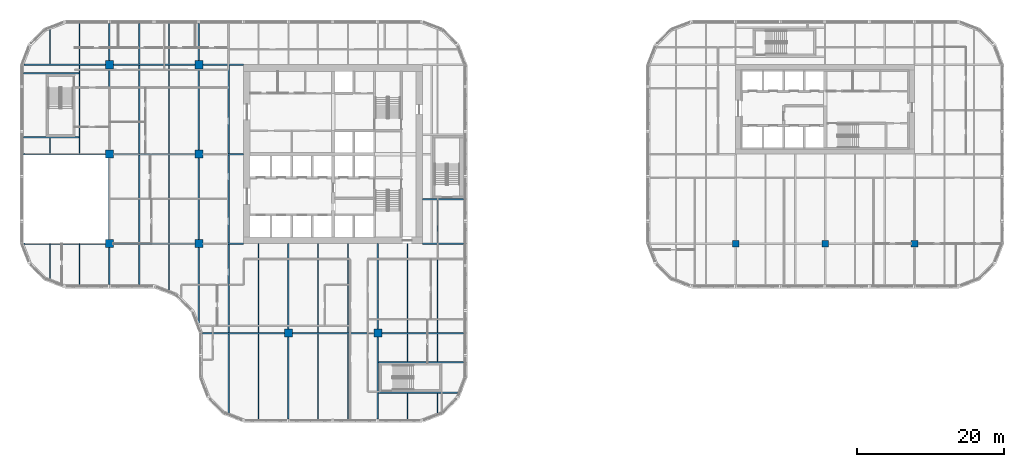
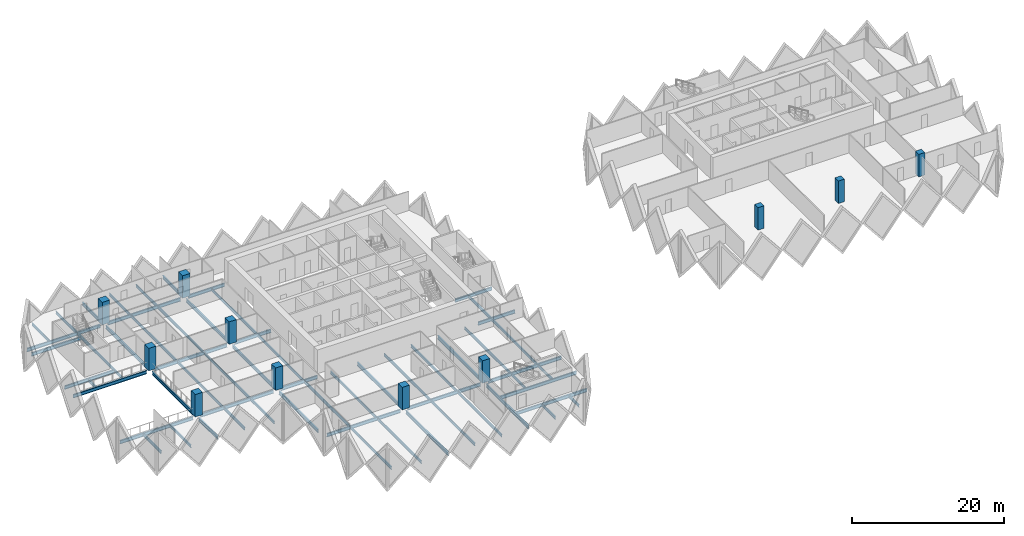
# One storey, part 1 of 18: 61 beams, 11 columns.
"""IFC4 building model written with IfcOpenShell, lengths in metres."""

from ifc_helpers import new_model, si_unit, direction, frame, origin, origin_2d, place, context, subcontext, project, spatial, rectangle, i_section, extrude, material, material_profile, profile_set, type_object, element, save


model = new_model("IFC4")

# Units and contexts
model_context = context("Model", 3, precision=1e-05, world=origin(), true_north=direction((0.0, 1.0)))
body_context = subcontext(model_context, "Body", "Model", "MODEL_VIEW")
ifc_project = project(units=[si_unit("LENGTHUNIT", "METRE"), si_unit("AREAUNIT", "SQUARE_METRE"), si_unit("VOLUMEUNIT", "CUBIC_METRE"), si_unit("PLANEANGLEUNIT", "RADIAN"), si_unit("MASSUNIT", "GRAM", prefix="KILO")], contexts=[model_context])

# Site, building, storey
site_placement = place(None, origin())
site = spatial("IfcSite", under=ifc_project, at=site_placement, CompositionType="ELEMENT")
building_placement = place(site_placement, origin())
building = spatial("IfcBuilding", under=site, at=building_placement, Name="Tessera Gate Towers", CompositionType="ELEMENT")
storey_placement = place(building_placement, frame((0.0, 0.0, 37.199951171875)))
storey = spatial("IfcBuildingStorey", under=building, at=storey_placement, Name="L08", CompositionType="ELEMENT", Elevation=37.199951171875)

# Columns
ifc_material_1 = material(Name="Concrete C70/85", Category="concrete")
ifc_material_profile_1 = material_profile(ifc_material_1, rectangle(XDim=1.10009765625, YDim=1.10009765625, at=origin_2d()), Name="RC 1100x1100")
ifc_profile_set_1 = profile_set([ifc_material_profile_1], Name="Concrete C70/85")
column_type_1 = type_object("IfcColumnType", Name="COLUMN RC 1100x1100", PredefinedType="COLUMN", material=ifc_profile_set_1)
for number, where, z_axis, x_axis, name in (
    (1, (12.199951171875, 24.39990234375, 0.0), (0.0, 0.0, 1.0), (1.0, 0.0, 0.0), "T1-COL-2C-L08"),
    (2, (12.199951171875, 36.60009765625, 0.0), (0.0, 0.0, 1.0), (1.0, 0.0, 0.0), "T1-COL-2D-L08"),
    (3, (12.199951171875, 48.800048828125, 0.0), (0.0, 0.0, 1.0), (1.0, 0.0, 0.0), "T1-COL-2E-L08"),
    (4, (24.39990234375, 24.39990234375, 0.0), (0.0, 0.0, 1.0), (1.0, 0.0, 0.0), "T1-COL-3C-L08"),
    (5, (24.39990234375, 36.60009765625, 0.0), (0.0, 0.0, 1.0), (1.0, 0.0, 0.0), "T1-COL-3D-L08"),
    (6, (24.39990234375, 48.800048828125, 0.0), (0.0, 0.0, 1.0), (1.0, 0.0, 0.0), "T1-COL-3E-L08"),
    (7, (36.60009765625, 12.199951171875, 0.0), (0.0, 0.0, 1.0), (1.0, 0.0, 0.0), "T1-COL-4B-L08"),
    (8, (48.800048828125, 12.199951171875, 0.0), (0.0, 0.0, 1.0), (1.0, 0.0, 0.0), "T1-COL-5B-L08"),
):
    element("IfcColumn", number, at=place(storey_placement, frame(where, z_axis=z_axis, x_axis=x_axis)), inside=storey, type_object=column_type_1, Name=name, PredefinedType="COLUMN", context=body_context, shape_type="SweptSolid", body=[
        extrude(rectangle(XDim=1.10009765625, YDim=1.10009765625, at=origin_2d()), origin(), (0.0, 0.0, 1.0), 3.60009765625),
    ])
ifc_material_2 = material(Name="Concrete C70/85", Category="concrete")
ifc_material_profile_2 = material_profile(ifc_material_2, rectangle(XDim=0.89990234375, YDim=0.89990234375, at=origin_2d()), Name="RC 900x900")
ifc_profile_set_2 = profile_set([ifc_material_profile_2], Name="Concrete C70/85")
column_type_2 = type_object("IfcColumnType", Name="COLUMN RC 900x900", PredefinedType="COLUMN", material=ifc_profile_set_2)
for number, where, z_axis, x_axis, name in (
    (9, (97.60009765625, 24.39990234375, 0.0), (0.0, 0.0, 1.0), (1.0, 0.0, 0.0), "T2-COL-9C-L08"),
    (10, (109.800048828125, 24.39990234375, 0.0), (0.0, 0.0, 1.0), (1.0, 0.0, 0.0), "T2-COL-10C-L08"),
    (11, (122.0, 24.39990234375, 0.0), (0.0, 0.0, 1.0), (1.0, 0.0, 0.0), "T2-COL-11C-L08"),
):
    element("IfcColumn", number, at=place(storey_placement, frame(where, z_axis=z_axis, x_axis=x_axis)), inside=storey, type_object=column_type_2, Name=name, PredefinedType="COLUMN", context=body_context, shape_type="SweptSolid", body=[
        extrude(rectangle(XDim=0.89990234375, YDim=0.89990234375, at=origin_2d()), origin(), (0.0, 0.0, 1.0), 3.60009765625),
    ])

# Beams
ifc_material_3 = material(Name="Steel 350W", Category="steel")
ifc_material_profile_3 = material_profile(ifc_material_3, i_section(OverallWidth=0.208984375, OverallDepth=0.532958984375, WebThickness=0.01025390625, FlangeThickness=0.015625, at=origin_2d()), Name="W530x92")
ifc_profile_set_3 = profile_set([ifc_material_profile_3], Name="Steel 350W")
beam_type_1 = type_object("IfcBeamType", Name="FLOOR GIRDER W530x92", PredefinedType="BEAM", material=ifc_profile_set_3)
beam_1_placement = place(storey_placement, frame((24.89892578125, 12.199951171875, -0.466552734375), z_axis=(1.0, 0.0, 0.0), x_axis=(0.0, 1.0, 0.0)))
element("IfcBeam", 12, at=beam_1_placement, inside=storey, type_object=beam_type_1, Name="T1-GD-L08-1276", PredefinedType="BEAM", context=body_context, shape_type="SweptSolid", body=[
    extrude(i_section(OverallWidth=0.208984375, OverallDepth=0.532958984375, WebThickness=0.01025390625, FlangeThickness=0.015625, at=origin_2d()), origin(), (0.0, 0.0, 1.0), 11.151123046875),
])
beam_2_placement = place(storey_placement, frame((37.14990234375, 12.199951171875, -0.466552734375), z_axis=(1.0, 0.0, 0.0), x_axis=(0.0, 1.0, 0.0)))
element("IfcBeam", 13, at=beam_2_placement, inside=storey, type_object=beam_type_1, Name="T1-GD-L08-1277", PredefinedType="BEAM", context=body_context, shape_type="SweptSolid", body=[
    extrude(i_section(OverallWidth=0.208984375, OverallDepth=0.532958984375, WebThickness=0.01025390625, FlangeThickness=0.015625, at=origin_2d()), origin(), (0.0, 0.0, 1.0), 11.10009765625),
])
beam_3_placement = place(storey_placement, frame((49.35009765625, 12.199951171875, -0.466552734375), z_axis=(1.0, 0.0, 0.0), x_axis=(0.0, 1.0, 0.0)))
element("IfcBeam", 14, at=beam_3_placement, inside=storey, type_object=beam_type_1, Name="T1-GD-L08-1278", PredefinedType="BEAM", context=body_context, shape_type="SweptSolid", body=[
    extrude(i_section(OverallWidth=0.208984375, OverallDepth=0.532958984375, WebThickness=0.01025390625, FlangeThickness=0.015625, at=origin_2d()), origin(), (0.0, 0.0, 1.0), 11.15087890625),
])
beam_4_placement = place(storey_placement, frame((0.534912109375, 24.39990234375, -0.466552734375), z_axis=(1.0, 0.0, 0.0), x_axis=(0.0, 1.0, 0.0)))
element("IfcBeam", 15, at=beam_4_placement, inside=storey, type_object=beam_type_1, Name="T1-GD-L08-1279", PredefinedType="BEAM", context=body_context, shape_type="SweptSolid", body=[
    extrude(i_section(OverallWidth=0.208984375, OverallDepth=0.532958984375, WebThickness=0.01025390625, FlangeThickness=0.015625, at=origin_2d()), origin(), (0.0, 0.0, 1.0), 11.114990234375),
])
beam_5_placement = place(storey_placement, frame((12.75, 24.39990234375, -0.466552734375), z_axis=(1.0, 0.0, 0.0), x_axis=(0.0, 1.0, 0.0)))
element("IfcBeam", 16, at=beam_5_placement, inside=storey, type_object=beam_type_1, Name="T1-GD-L08-1280", PredefinedType="BEAM", context=body_context, shape_type="SweptSolid", body=[
    extrude(i_section(OverallWidth=0.208984375, OverallDepth=0.532958984375, WebThickness=0.01025390625, FlangeThickness=0.015625, at=origin_2d()), origin(), (0.0, 0.0, 1.0), 11.10009765625),
])
beam_6_placement = place(storey_placement, frame((24.949951171875, 24.39990234375, -0.466552734375), z_axis=(1.0, 0.0, 0.0), x_axis=(0.0, 1.0, 0.0)))
element("IfcBeam", 17, at=beam_6_placement, inside=storey, type_object=beam_type_1, Name="T1-GD-L08-1281", PredefinedType="BEAM", context=body_context, shape_type="SweptSolid", body=[
    extrude(i_section(OverallWidth=0.208984375, OverallDepth=0.532958984375, WebThickness=0.01025390625, FlangeThickness=0.015625, at=origin_2d()), origin(), (0.0, 0.0, 1.0), 5.549072265625),
])
beam_7_placement = place(storey_placement, frame((54.90087890625, 24.39990234375, -0.466552734375), z_axis=(1.0, 0.0, 0.0), x_axis=(0.0, 1.0, 0.0)))
element("IfcBeam", 18, at=beam_7_placement, inside=storey, type_object=beam_type_1, Name="T1-GD-L08-1282", PredefinedType="BEAM", context=body_context, shape_type="SweptSolid", body=[
    extrude(i_section(OverallWidth=0.208984375, OverallDepth=0.532958984375, WebThickness=0.01025390625, FlangeThickness=0.015625, at=origin_2d()), origin(), (0.0, 0.0, 1.0), 5.60009765625),
])
beam_8_placement = place(storey_placement, frame((0.4990234375, 36.60009765625, -0.466552734375), z_axis=(1.0, 0.0, 0.0), x_axis=(0.0, 1.0, 0.0)))
element("IfcBeam", 19, at=beam_8_placement, inside=storey, type_object=beam_type_1, Name="T1-GD-L08-1283", PredefinedType="BEAM", context=body_context, shape_type="SweptSolid", body=[
    extrude(i_section(OverallWidth=0.208984375, OverallDepth=0.532958984375, WebThickness=0.01025390625, FlangeThickness=0.015625, at=origin_2d()), origin(), (0.0, 0.0, 1.0), 11.15087890625),
])
beam_9_placement = place(storey_placement, frame((12.75, 36.60009765625, -0.466552734375), z_axis=(1.0, 0.0, 0.0), x_axis=(0.0, 1.0, 0.0)))
element("IfcBeam", 20, at=beam_9_placement, inside=storey, type_object=beam_type_1, Name="T1-GD-L08-1284", PredefinedType="BEAM", context=body_context, shape_type="SweptSolid", body=[
    extrude(i_section(OverallWidth=0.208984375, OverallDepth=0.532958984375, WebThickness=0.01025390625, FlangeThickness=0.015625, at=origin_2d()), origin(), (0.0, 0.0, 1.0), 11.10009765625),
])
beam_10_placement = place(storey_placement, frame((24.949951171875, 36.60009765625, -0.466552734375), z_axis=(1.0, 0.0, 0.0), x_axis=(0.0, 1.0, 0.0)))
element("IfcBeam", 21, at=beam_10_placement, inside=storey, type_object=beam_type_1, Name="T1-GD-L08-1285", PredefinedType="BEAM", context=body_context, shape_type="SweptSolid", body=[
    extrude(i_section(OverallWidth=0.208984375, OverallDepth=0.532958984375, WebThickness=0.01025390625, FlangeThickness=0.015625, at=origin_2d()), origin(), (0.0, 0.0, 1.0), 5.551025390625),
])
beam_11_placement = place(storey_placement, frame((0.534912109375, 48.800048828125, -0.466552734375), z_axis=(1.0, 0.0, 0.0), x_axis=(0.0, 1.0, 0.0)))
element("IfcBeam", 22, at=beam_11_placement, inside=storey, type_object=beam_type_1, Name="T1-GD-L08-1287", PredefinedType="BEAM", context=body_context, shape_type="SweptSolid", body=[
    extrude(i_section(OverallWidth=0.208984375, OverallDepth=0.532958984375, WebThickness=0.01025390625, FlangeThickness=0.015625, at=origin_2d()), origin(), (0.0, 0.0, 1.0), 11.114990234375),
])
beam_12_placement = place(storey_placement, frame((12.75, 48.800048828125, -0.466552734375), z_axis=(1.0, 0.0, 0.0), x_axis=(0.0, 1.0, 0.0)))
element("IfcBeam", 23, at=beam_12_placement, inside=storey, type_object=beam_type_1, Name="T1-GD-L08-1288", PredefinedType="BEAM", context=body_context, shape_type="SweptSolid", body=[
    extrude(i_section(OverallWidth=0.208984375, OverallDepth=0.532958984375, WebThickness=0.01025390625, FlangeThickness=0.015625, at=origin_2d()), origin(), (0.0, 0.0, 1.0), 11.10009765625),
])
beam_13_placement = place(storey_placement, frame((24.949951171875, 48.800048828125, -0.466552734375), z_axis=(1.0, 0.0, 0.0), x_axis=(0.0, 1.0, 0.0)))
element("IfcBeam", 24, at=beam_13_placement, inside=storey, type_object=beam_type_1, Name="T1-GD-L08-1289", PredefinedType="BEAM", context=body_context, shape_type="SweptSolid", body=[
    extrude(i_section(OverallWidth=0.208984375, OverallDepth=0.532958984375, WebThickness=0.01025390625, FlangeThickness=0.015625, at=origin_2d()), origin(), (0.0, 0.0, 1.0), 5.549072265625),
])
beam_14_placement = place(storey_placement, frame((12.199951171875, 18.799072265625, -0.466552734375), z_axis=(0.0, 1.0, 0.0), x_axis=(-1.0, 0.0, 0.0)))
element("IfcBeam", 25, at=beam_14_placement, inside=storey, type_object=beam_type_1, Name="T1-GD-L08-1291", PredefinedType="BEAM", context=body_context, shape_type="SweptSolid", body=[
    extrude(i_section(OverallWidth=0.208984375, OverallDepth=0.532958984375, WebThickness=0.01025390625, FlangeThickness=0.015625, at=origin_2d()), origin(), (0.0, 0.0, 1.0), 5.051025390625),
])
for number, where, z_axis, x_axis, name in (
    (26, (12.199951171875, 24.949951171875, -0.466552734375), (0.0, 1.0, 0.0), (-1.0, 0.0, 0.0), "T1-GD-L08-1292"),
    (27, (12.199951171875, 37.14990234375, -0.466552734375), (0.0, 1.0, 0.0), (-1.0, 0.0, 0.0), "T1-GD-L08-1293"),
):
    element("IfcBeam", number, at=place(storey_placement, frame(where, z_axis=z_axis, x_axis=x_axis)), inside=storey, type_object=beam_type_1, Name=name, PredefinedType="BEAM", context=body_context, shape_type="SweptSolid", body=[
        extrude(i_section(OverallWidth=0.208984375, OverallDepth=0.532958984375, WebThickness=0.01025390625, FlangeThickness=0.015625, at=origin_2d()), origin(), (0.0, 0.0, 1.0), 11.10009765625),
    ])
beam_15_placement = place(storey_placement, frame((12.199951171875, 49.35009765625, -0.466552734375), z_axis=(0.0, 1.0, 0.0), x_axis=(-1.0, 0.0, 0.0)))
element("IfcBeam", 28, at=beam_15_placement, inside=storey, type_object=beam_type_1, Name="T1-GD-L08-1294", PredefinedType="BEAM", context=body_context, shape_type="SweptSolid", body=[
    extrude(i_section(OverallWidth=0.208984375, OverallDepth=0.532958984375, WebThickness=0.01025390625, FlangeThickness=0.015625, at=origin_2d()), origin(), (0.0, 0.0, 1.0), 5.05078125),
])
beam_16_placement = place(storey_placement, frame((24.39990234375, 13.58642578125, -0.466552734375), z_axis=(0.0, 1.0, 0.0), x_axis=(-1.0, 0.0, 0.0)))
element("IfcBeam", 29, at=beam_16_placement, inside=storey, type_object=beam_type_1, Name="T1-GD-L08-1295", PredefinedType="BEAM", context=body_context, shape_type="SweptSolid", body=[
    extrude(i_section(OverallWidth=0.208984375, OverallDepth=0.532958984375, WebThickness=0.01025390625, FlangeThickness=0.015625, at=origin_2d()), origin(), (0.0, 0.0, 1.0), 10.263671875),
])
for number, where, z_axis, x_axis, name in (
    (30, (24.39990234375, 24.949951171875, -0.466552734375), (0.0, 1.0, 0.0), (-1.0, 0.0, 0.0), "T1-GD-L08-1296"),
    (31, (24.39990234375, 37.14990234375, -0.466552734375), (0.0, 1.0, 0.0), (-1.0, 0.0, 0.0), "T1-GD-L08-1297"),
):
    element("IfcBeam", number, at=place(storey_placement, frame(where, z_axis=z_axis, x_axis=x_axis)), inside=storey, type_object=beam_type_1, Name=name, PredefinedType="BEAM", context=body_context, shape_type="SweptSolid", body=[
        extrude(i_section(OverallWidth=0.208984375, OverallDepth=0.532958984375, WebThickness=0.01025390625, FlangeThickness=0.015625, at=origin_2d()), origin(), (0.0, 0.0, 1.0), 11.10009765625),
    ])
beam_17_placement = place(storey_placement, frame((24.39990234375, 49.35009765625, -0.466552734375), z_axis=(0.0, 1.0, 0.0), x_axis=(-1.0, 0.0, 0.0)))
element("IfcBeam", 32, at=beam_17_placement, inside=storey, type_object=beam_type_1, Name="T1-GD-L08-1298", PredefinedType="BEAM", context=body_context, shape_type="SweptSolid", body=[
    extrude(i_section(OverallWidth=0.208984375, OverallDepth=0.532958984375, WebThickness=0.01025390625, FlangeThickness=0.015625, at=origin_2d()), origin(), (0.0, 0.0, 1.0), 5.05078125),
])
beam_18_placement = place(storey_placement, frame((36.60009765625, 0.4990234375, -0.466552734375), z_axis=(0.0, 1.0, 0.0), x_axis=(-1.0, 0.0, 0.0)))
element("IfcBeam", 33, at=beam_18_placement, inside=storey, type_object=beam_type_1, Name="T1-GD-L08-1299", PredefinedType="BEAM", context=body_context, shape_type="SweptSolid", body=[
    extrude(i_section(OverallWidth=0.208984375, OverallDepth=0.532958984375, WebThickness=0.01025390625, FlangeThickness=0.015625, at=origin_2d()), origin(), (0.0, 0.0, 1.0), 11.15087890625),
])
beam_19_placement = place(storey_placement, frame((36.60009765625, 12.75, -0.466552734375), z_axis=(0.0, 1.0, 0.0), x_axis=(-1.0, 0.0, 0.0)))
element("IfcBeam", 34, at=beam_19_placement, inside=storey, type_object=beam_type_1, Name="T1-GD-L08-1300", PredefinedType="BEAM", context=body_context, shape_type="SweptSolid", body=[
    extrude(i_section(OverallWidth=0.208984375, OverallDepth=0.532958984375, WebThickness=0.01025390625, FlangeThickness=0.015625, at=origin_2d()), origin(), (0.0, 0.0, 1.0), 11.64990234375),
])
beam_20_placement = place(storey_placement, frame((48.800048828125, 0.4990234375, -0.466552734375), z_axis=(0.0, 1.0, 0.0), x_axis=(-1.0, 0.0, 0.0)))
element("IfcBeam", 35, at=beam_20_placement, inside=storey, type_object=beam_type_1, Name="T1-GD-L08-1301", PredefinedType="BEAM", context=body_context, shape_type="SweptSolid", body=[
    extrude(i_section(OverallWidth=0.208984375, OverallDepth=0.532958984375, WebThickness=0.01025390625, FlangeThickness=0.015625, at=origin_2d()), origin(), (0.0, 0.0, 1.0), 11.15087890625),
])
beam_21_placement = place(storey_placement, frame((48.800048828125, 12.75, -0.466552734375), z_axis=(0.0, 1.0, 0.0), x_axis=(-1.0, 0.0, 0.0)))
element("IfcBeam", 36, at=beam_21_placement, inside=storey, type_object=beam_type_1, Name="T1-GD-L08-1302", PredefinedType="BEAM", context=body_context, shape_type="SweptSolid", body=[
    extrude(i_section(OverallWidth=0.208984375, OverallDepth=0.532958984375, WebThickness=0.01025390625, FlangeThickness=0.015625, at=origin_2d()), origin(), (0.0, 0.0, 1.0), 11.64990234375),
])
for number, where, z_axis, x_axis, name in (
    (37, (0.4990234375, 38.8798828125, -0.466552734375), (1.0, 0.0, 0.0), (0.0, 1.0, 0.0), "T1-GD-L08-1303"),
    (38, (0.4990234375, 47.6201171875, -0.466552734375), (1.0, 0.0, 0.0), (0.0, 1.0, 0.0), "T1-GD-L08-1304"),
):
    element("IfcBeam", number, at=place(storey_placement, frame(where, z_axis=z_axis, x_axis=x_axis)), inside=storey, type_object=beam_type_1, Name=name, PredefinedType="BEAM", context=body_context, shape_type="SweptSolid", body=[
        extrude(i_section(OverallWidth=0.208984375, OverallDepth=0.532958984375, WebThickness=0.01025390625, FlangeThickness=0.015625, at=origin_2d()), origin(), (0.0, 0.0, 1.0), 7.557861328125),
    ])
beam_22_placement = place(storey_placement, frame((48.87646484375, 4.080078125, -0.466552734375), z_axis=(1.0, 0.0, 0.0), x_axis=(0.0, 1.0, 0.0)))
element("IfcBeam", 39, at=beam_22_placement, inside=storey, type_object=beam_type_1, Name="T1-GD-L08-1305", PredefinedType="BEAM", context=body_context, shape_type="SweptSolid", body=[
    extrude(i_section(OverallWidth=0.208984375, OverallDepth=0.532958984375, WebThickness=0.01025390625, FlangeThickness=0.015625, at=origin_2d()), origin(), (0.0, 0.0, 1.0), 10.809326171875),
])
beam_23_placement = place(storey_placement, frame((48.87646484375, 8.219970703125, -0.466552734375), z_axis=(1.0, 0.0, 0.0), x_axis=(0.0, 1.0, 0.0)))
element("IfcBeam", 40, at=beam_23_placement, inside=storey, type_object=beam_type_1, Name="T1-GD-L08-1306", PredefinedType="BEAM", context=body_context, shape_type="SweptSolid", body=[
    extrude(i_section(OverallWidth=0.208984375, OverallDepth=0.532958984375, WebThickness=0.01025390625, FlangeThickness=0.015625, at=origin_2d()), origin(), (0.0, 0.0, 1.0), 11.62451171875),
])
beam_24_placement = place(storey_placement, frame((54.89892578125, 30.47998046875, -0.466552734375), z_axis=(1.0, 0.0, 0.0), x_axis=(0.0, 1.0, 0.0)))
element("IfcBeam", 41, at=beam_24_placement, inside=storey, type_object=beam_type_1, Name="T1-GD-L08-1307", PredefinedType="BEAM", context=body_context, shape_type="SweptSolid", body=[
    extrude(i_section(OverallWidth=0.208984375, OverallDepth=0.532958984375, WebThickness=0.01025390625, FlangeThickness=0.015625, at=origin_2d()), origin(), (0.0, 0.0, 1.0), 5.60205078125),
])
ifc_material_4 = material(Name="Steel 350W", Category="steel")
ifc_material_profile_4 = material_profile(ifc_material_4, i_section(OverallWidth=0.153076171875, OverallDepth=0.455078125, WebThickness=0.008056640625, FlangeThickness=0.01318359375, at=origin_2d()), Name="W460x60")
ifc_profile_set_4 = profile_set([ifc_material_profile_4], Name="Steel 350W")
beam_type_2 = type_object("IfcBeamType", Name="FLOOR SECONDARY W460x60", PredefinedType="BEAM", material=ifc_profile_set_4)
beam_25_placement = place(storey_placement, frame((4.066650390625, 19.620361328125, -0.427490234375), z_axis=(0.0, 1.0, 0.0), x_axis=(-1.0, 0.0, 0.0)))
element("IfcBeam", 42, at=beam_25_placement, inside=storey, type_object=beam_type_2, Name="T1-BM-L08-1310", PredefinedType="BEAM", context=body_context, shape_type="SweptSolid", body=[
    extrude(i_section(OverallWidth=0.153076171875, OverallDepth=0.455078125, WebThickness=0.008056640625, FlangeThickness=0.01318359375, at=origin_2d()), origin(), (0.0, 0.0, 1.0), 4.779541015625),
])
beam_26_placement = place(storey_placement, frame((4.066650390625, 36.70458984375, -0.427490234375), z_axis=(0.0, 1.0, 0.0), x_axis=(-1.0, 0.0, 0.0)))
element("IfcBeam", 43, at=beam_26_placement, inside=storey, type_object=beam_type_2, Name="T1-BM-L08-1311", PredefinedType="BEAM", context=body_context, shape_type="SweptSolid", body=[
    extrude(i_section(OverallWidth=0.153076171875, OverallDepth=0.455078125, WebThickness=0.008056640625, FlangeThickness=0.01318359375, at=origin_2d()), origin(), (0.0, 0.0, 1.0), 2.07080078125),
])
beam_27_placement = place(storey_placement, frame((4.066650390625, 48.904541015625, -0.427490234375), z_axis=(0.0, 1.0, 0.0), x_axis=(-1.0, 0.0, 0.0)))
element("IfcBeam", 44, at=beam_27_placement, inside=storey, type_object=beam_type_2, Name="T1-BM-L08-1312", PredefinedType="BEAM", context=body_context, shape_type="SweptSolid", body=[
    extrude(i_section(OverallWidth=0.153076171875, OverallDepth=0.455078125, WebThickness=0.008056640625, FlangeThickness=0.01318359375, at=origin_2d()), origin(), (0.0, 0.0, 1.0), 4.675048828125),
])
beam_28_placement = place(storey_placement, frame((8.13330078125, 18.800048828125, -0.427490234375), z_axis=(0.0, 1.0, 0.0), x_axis=(-1.0, 0.0, 0.0)))
element("IfcBeam", 45, at=beam_28_placement, inside=storey, type_object=beam_type_2, Name="T1-BM-L08-1313", PredefinedType="BEAM", context=body_context, shape_type="SweptSolid", body=[
    extrude(i_section(OverallWidth=0.153076171875, OverallDepth=0.455078125, WebThickness=0.008056640625, FlangeThickness=0.01318359375, at=origin_2d()), origin(), (0.0, 0.0, 1.0), 5.599853515625),
])
beam_29_placement = place(storey_placement, frame((8.13330078125, 36.70458984375, -0.427490234375), z_axis=(0.0, 1.0, 0.0), x_axis=(-1.0, 0.0, 0.0)))
element("IfcBeam", 46, at=beam_29_placement, inside=storey, type_object=beam_type_2, Name="T1-BM-L08-1314", PredefinedType="BEAM", context=body_context, shape_type="SweptSolid", body=[
    extrude(i_section(OverallWidth=0.153076171875, OverallDepth=0.455078125, WebThickness=0.008056640625, FlangeThickness=0.01318359375, at=origin_2d()), origin(), (0.0, 0.0, 1.0), 11.990966796875),
])
for number, where, z_axis, x_axis, name in (
    (47, (8.13330078125, 48.904541015625, -0.427490234375), (0.0, 1.0, 0.0), (-1.0, 0.0, 0.0), "T1-BM-L08-1315"),
    (48, (16.2666015625, 18.800048828125, -0.427490234375), (0.0, 1.0, 0.0), (-1.0, 0.0, 0.0), "T1-BM-L08-1316"),
):
    element("IfcBeam", number, at=place(storey_placement, frame(where, z_axis=z_axis, x_axis=x_axis)), inside=storey, type_object=beam_type_2, Name=name, PredefinedType="BEAM", context=body_context, shape_type="SweptSolid", body=[
        extrude(i_section(OverallWidth=0.153076171875, OverallDepth=0.455078125, WebThickness=0.008056640625, FlangeThickness=0.01318359375, at=origin_2d()), origin(), (0.0, 0.0, 1.0), 5.495361328125),
    ])
beam_30_placement = place(storey_placement, frame((16.2666015625, 24.50439453125, -0.427490234375), z_axis=(0.0, 1.0, 0.0), x_axis=(-1.0, 0.0, 0.0)))
element("IfcBeam", 49, at=beam_30_placement, inside=storey, type_object=beam_type_2, Name="T1-BM-L08-1317", PredefinedType="BEAM", context=body_context, shape_type="SweptSolid", body=[
    extrude(i_section(OverallWidth=0.153076171875, OverallDepth=0.455078125, WebThickness=0.008056640625, FlangeThickness=0.01318359375, at=origin_2d()), origin(), (0.0, 0.0, 1.0), 11.9912109375),
])
beam_31_placement = place(storey_placement, frame((16.2666015625, 36.70458984375, -0.427490234375), z_axis=(0.0, 1.0, 0.0), x_axis=(-1.0, 0.0, 0.0)))
element("IfcBeam", 50, at=beam_31_placement, inside=storey, type_object=beam_type_2, Name="T1-BM-L08-1318", PredefinedType="BEAM", context=body_context, shape_type="SweptSolid", body=[
    extrude(i_section(OverallWidth=0.153076171875, OverallDepth=0.455078125, WebThickness=0.008056640625, FlangeThickness=0.01318359375, at=origin_2d()), origin(), (0.0, 0.0, 1.0), 11.990966796875),
])
beam_32_placement = place(storey_placement, frame((16.2666015625, 48.904541015625, -0.427490234375), z_axis=(0.0, 1.0, 0.0), x_axis=(-1.0, 0.0, 0.0)))
element("IfcBeam", 51, at=beam_32_placement, inside=storey, type_object=beam_type_2, Name="T1-BM-L08-1319", PredefinedType="BEAM", context=body_context, shape_type="SweptSolid", body=[
    extrude(i_section(OverallWidth=0.153076171875, OverallDepth=0.455078125, WebThickness=0.008056640625, FlangeThickness=0.01318359375, at=origin_2d()), origin(), (0.0, 0.0, 1.0), 5.495361328125),
])
beam_33_placement = place(storey_placement, frame((20.333251953125, 18.051513671875, -0.427490234375), z_axis=(0.0, 1.0, 0.0), x_axis=(-1.0, 0.0, 0.0)))
element("IfcBeam", 52, at=beam_33_placement, inside=storey, type_object=beam_type_2, Name="T1-BM-L08-1320", PredefinedType="BEAM", context=body_context, shape_type="SweptSolid", body=[
    extrude(i_section(OverallWidth=0.153076171875, OverallDepth=0.455078125, WebThickness=0.008056640625, FlangeThickness=0.01318359375, at=origin_2d()), origin(), (0.0, 0.0, 1.0), 6.243896484375),
])
beam_34_placement = place(storey_placement, frame((20.333251953125, 24.50439453125, -0.427490234375), z_axis=(0.0, 1.0, 0.0), x_axis=(-1.0, 0.0, 0.0)))
element("IfcBeam", 53, at=beam_34_placement, inside=storey, type_object=beam_type_2, Name="T1-BM-L08-1321", PredefinedType="BEAM", context=body_context, shape_type="SweptSolid", body=[
    extrude(i_section(OverallWidth=0.153076171875, OverallDepth=0.455078125, WebThickness=0.008056640625, FlangeThickness=0.01318359375, at=origin_2d()), origin(), (0.0, 0.0, 1.0), 11.9912109375),
])
beam_35_placement = place(storey_placement, frame((20.333251953125, 36.70458984375, -0.427490234375), z_axis=(0.0, 1.0, 0.0), x_axis=(-1.0, 0.0, 0.0)))
element("IfcBeam", 54, at=beam_35_placement, inside=storey, type_object=beam_type_2, Name="T1-BM-L08-1322", PredefinedType="BEAM", context=body_context, shape_type="SweptSolid", body=[
    extrude(i_section(OverallWidth=0.153076171875, OverallDepth=0.455078125, WebThickness=0.008056640625, FlangeThickness=0.01318359375, at=origin_2d()), origin(), (0.0, 0.0, 1.0), 11.990966796875),
])
beam_36_placement = place(storey_placement, frame((20.333251953125, 48.904541015625, -0.427490234375), z_axis=(0.0, 1.0, 0.0), x_axis=(-1.0, 0.0, 0.0)))
element("IfcBeam", 55, at=beam_36_placement, inside=storey, type_object=beam_type_2, Name="T1-BM-L08-1323", PredefinedType="BEAM", context=body_context, shape_type="SweptSolid", body=[
    extrude(i_section(OverallWidth=0.153076171875, OverallDepth=0.455078125, WebThickness=0.008056640625, FlangeThickness=0.01318359375, at=origin_2d()), origin(), (0.0, 0.0, 1.0), 5.495361328125),
])
beam_37_placement = place(storey_placement, frame((28.466796875, 1.3203125, -0.427490234375), z_axis=(0.0, 1.0, 0.0), x_axis=(-1.0, 0.0, 0.0)))
element("IfcBeam", 56, at=beam_37_placement, inside=storey, type_object=beam_type_2, Name="T1-BM-L08-1324", PredefinedType="BEAM", context=body_context, shape_type="SweptSolid", body=[
    extrude(i_section(OverallWidth=0.153076171875, OverallDepth=0.455078125, WebThickness=0.008056640625, FlangeThickness=0.01318359375, at=origin_2d()), origin(), (0.0, 0.0, 1.0), 10.775146484375),
])
beam_38_placement = place(storey_placement, frame((28.466796875, 12.304443359375, -0.427490234375), z_axis=(0.0, 1.0, 0.0), x_axis=(-1.0, 0.0, 0.0)))
element("IfcBeam", 57, at=beam_38_placement, inside=storey, type_object=beam_type_2, Name="T1-BM-L08-1325", PredefinedType="BEAM", context=body_context, shape_type="SweptSolid", body=[
    extrude(i_section(OverallWidth=0.153076171875, OverallDepth=0.455078125, WebThickness=0.008056640625, FlangeThickness=0.01318359375, at=origin_2d()), origin(), (0.0, 0.0, 1.0), 11.990966796875),
])
beam_39_placement = place(storey_placement, frame((28.466796875, 24.50439453125, -0.427490234375), z_axis=(0.0, 1.0, 0.0), x_axis=(-1.0, 0.0, 0.0)))
element("IfcBeam", 58, at=beam_39_placement, inside=storey, type_object=beam_type_2, Name="T1-BM-L08-1326", PredefinedType="BEAM", context=body_context, shape_type="SweptSolid", body=[
    extrude(i_section(OverallWidth=0.153076171875, OverallDepth=0.455078125, WebThickness=0.008056640625, FlangeThickness=0.01318359375, at=origin_2d()), origin(), (0.0, 0.0, 1.0), 11.9912109375),
])
beam_40_placement = place(storey_placement, frame((28.466796875, 36.70458984375, -0.427490234375), z_axis=(0.0, 1.0, 0.0), x_axis=(-1.0, 0.0, 0.0)))
element("IfcBeam", 59, at=beam_40_placement, inside=storey, type_object=beam_type_2, Name="T1-BM-L08-1327", PredefinedType="BEAM", context=body_context, shape_type="SweptSolid", body=[
    extrude(i_section(OverallWidth=0.153076171875, OverallDepth=0.455078125, WebThickness=0.008056640625, FlangeThickness=0.01318359375, at=origin_2d()), origin(), (0.0, 0.0, 1.0), 11.990966796875),
])
beam_41_placement = place(storey_placement, frame((32.533203125, 0.5, -0.427490234375), z_axis=(0.0, 1.0, 0.0), x_axis=(-1.0, 0.0, 0.0)))
element("IfcBeam", 60, at=beam_41_placement, inside=storey, type_object=beam_type_2, Name="T1-BM-L08-1329", PredefinedType="BEAM", context=body_context, shape_type="SweptSolid", body=[
    extrude(i_section(OverallWidth=0.153076171875, OverallDepth=0.455078125, WebThickness=0.008056640625, FlangeThickness=0.01318359375, at=origin_2d()), origin(), (0.0, 0.0, 1.0), 11.595458984375),
])
beam_42_placement = place(storey_placement, frame((32.533203125, 12.304443359375, -0.427490234375), z_axis=(0.0, 1.0, 0.0), x_axis=(-1.0, 0.0, 0.0)))
element("IfcBeam", 61, at=beam_42_placement, inside=storey, type_object=beam_type_2, Name="T1-BM-L08-1330", PredefinedType="BEAM", context=body_context, shape_type="SweptSolid", body=[
    extrude(i_section(OverallWidth=0.153076171875, OverallDepth=0.455078125, WebThickness=0.008056640625, FlangeThickness=0.01318359375, at=origin_2d()), origin(), (0.0, 0.0, 1.0), 12.095458984375),
])
beam_43_placement = place(storey_placement, frame((40.666748046875, 0.5, -0.427490234375), z_axis=(0.0, 1.0, 0.0), x_axis=(-1.0, 0.0, 0.0)))
element("IfcBeam", 62, at=beam_43_placement, inside=storey, type_object=beam_type_2, Name="T1-BM-L08-1333", PredefinedType="BEAM", context=body_context, shape_type="SweptSolid", body=[
    extrude(i_section(OverallWidth=0.153076171875, OverallDepth=0.455078125, WebThickness=0.008056640625, FlangeThickness=0.01318359375, at=origin_2d()), origin(), (0.0, 0.0, 1.0), 11.595458984375),
])
beam_44_placement = place(storey_placement, frame((40.666748046875, 12.304443359375, -0.427490234375), z_axis=(0.0, 1.0, 0.0), x_axis=(-1.0, 0.0, 0.0)))
element("IfcBeam", 63, at=beam_44_placement, inside=storey, type_object=beam_type_2, Name="T1-BM-L08-1334", PredefinedType="BEAM", context=body_context, shape_type="SweptSolid", body=[
    extrude(i_section(OverallWidth=0.153076171875, OverallDepth=0.455078125, WebThickness=0.008056640625, FlangeThickness=0.01318359375, at=origin_2d()), origin(), (0.0, 0.0, 1.0), 12.095458984375),
])
beam_45_placement = place(storey_placement, frame((44.7333984375, 0.5, -0.427490234375), z_axis=(0.0, 1.0, 0.0), x_axis=(-1.0, 0.0, 0.0)))
element("IfcBeam", 64, at=beam_45_placement, inside=storey, type_object=beam_type_2, Name="T1-BM-L08-1336", PredefinedType="BEAM", context=body_context, shape_type="SweptSolid", body=[
    extrude(i_section(OverallWidth=0.153076171875, OverallDepth=0.455078125, WebThickness=0.008056640625, FlangeThickness=0.01318359375, at=origin_2d()), origin(), (0.0, 0.0, 1.0), 11.595458984375),
])
beam_46_placement = place(storey_placement, frame((44.7333984375, 12.304443359375, -0.427490234375), z_axis=(0.0, 1.0, 0.0), x_axis=(-1.0, 0.0, 0.0)))
element("IfcBeam", 65, at=beam_46_placement, inside=storey, type_object=beam_type_2, Name="T1-BM-L08-1337", PredefinedType="BEAM", context=body_context, shape_type="SweptSolid", body=[
    extrude(i_section(OverallWidth=0.153076171875, OverallDepth=0.455078125, WebThickness=0.008056640625, FlangeThickness=0.01318359375, at=origin_2d()), origin(), (0.0, 0.0, 1.0), 12.095458984375),
])
beam_47_placement = place(storey_placement, frame((52.86669921875, 0.5, -0.427490234375), z_axis=(0.0, 1.0, 0.0), x_axis=(-1.0, 0.0, 0.0)))
element("IfcBeam", 66, at=beam_47_placement, inside=storey, type_object=beam_type_2, Name="T1-BM-L08-1340", PredefinedType="BEAM", context=body_context, shape_type="SweptSolid", body=[
    extrude(i_section(OverallWidth=0.153076171875, OverallDepth=0.455078125, WebThickness=0.008056640625, FlangeThickness=0.01318359375, at=origin_2d()), origin(), (0.0, 0.0, 1.0), 3.4755859375),
])
beam_48_placement = place(storey_placement, frame((52.86669921875, 8.324462890625, -0.427490234375), z_axis=(0.0, 1.0, 0.0), x_axis=(-1.0, 0.0, 0.0)))
element("IfcBeam", 67, at=beam_48_placement, inside=storey, type_object=beam_type_2, Name="T1-BM-L08-1341", PredefinedType="BEAM", context=body_context, shape_type="SweptSolid", body=[
    extrude(i_section(OverallWidth=0.153076171875, OverallDepth=0.455078125, WebThickness=0.008056640625, FlangeThickness=0.01318359375, at=origin_2d()), origin(), (0.0, 0.0, 1.0), 3.77099609375),
])
beam_49_placement = place(storey_placement, frame((52.86669921875, 12.304443359375, -0.427490234375), z_axis=(0.0, 1.0, 0.0), x_axis=(-1.0, 0.0, 0.0)))
element("IfcBeam", 68, at=beam_49_placement, inside=storey, type_object=beam_type_2, Name="T1-BM-L08-1342", PredefinedType="BEAM", context=body_context, shape_type="SweptSolid", body=[
    extrude(i_section(OverallWidth=0.153076171875, OverallDepth=0.455078125, WebThickness=0.008056640625, FlangeThickness=0.01318359375, at=origin_2d()), origin(), (0.0, 0.0, 1.0), 12.095458984375),
])
beam_50_placement = place(storey_placement, frame((56.933349609375, 1.3203125, -0.427490234375), z_axis=(0.0, 1.0, 0.0), x_axis=(-1.0, 0.0, 0.0)))
element("IfcBeam", 69, at=beam_50_placement, inside=storey, type_object=beam_type_2, Name="T1-BM-L08-1344", PredefinedType="BEAM", context=body_context, shape_type="SweptSolid", body=[
    extrude(i_section(OverallWidth=0.153076171875, OverallDepth=0.455078125, WebThickness=0.008056640625, FlangeThickness=0.01318359375, at=origin_2d()), origin(), (0.0, 0.0, 1.0), 2.6552734375),
])
beam_51_placement = place(storey_placement, frame((56.933349609375, 8.324462890625, -0.427490234375), z_axis=(0.0, 1.0, 0.0), x_axis=(-1.0, 0.0, 0.0)))
element("IfcBeam", 70, at=beam_51_placement, inside=storey, type_object=beam_type_2, Name="T1-BM-L08-1345", PredefinedType="BEAM", context=body_context, shape_type="SweptSolid", body=[
    extrude(i_section(OverallWidth=0.153076171875, OverallDepth=0.455078125, WebThickness=0.008056640625, FlangeThickness=0.01318359375, at=origin_2d()), origin(), (0.0, 0.0, 1.0), 3.77099609375),
])
beam_52_placement = place(storey_placement, frame((56.933349609375, 12.304443359375, -0.427490234375), z_axis=(0.0, 1.0, 0.0), x_axis=(-1.0, 0.0, 0.0)))
element("IfcBeam", 71, at=beam_52_placement, inside=storey, type_object=beam_type_2, Name="T1-BM-L08-1346", PredefinedType="BEAM", context=body_context, shape_type="SweptSolid", body=[
    extrude(i_section(OverallWidth=0.153076171875, OverallDepth=0.455078125, WebThickness=0.008056640625, FlangeThickness=0.01318359375, at=origin_2d()), origin(), (0.0, 0.0, 1.0), 11.990966796875),
])
beam_53_placement = place(storey_placement, frame((56.933349609375, 24.50439453125, -0.427490234375), z_axis=(0.0, 1.0, 0.0), x_axis=(-1.0, 0.0, 0.0)))
element("IfcBeam", 72, at=beam_53_placement, inside=storey, type_object=beam_type_2, Name="T1-BM-L08-1347", PredefinedType="BEAM", context=body_context, shape_type="SweptSolid", body=[
    extrude(i_section(OverallWidth=0.153076171875, OverallDepth=0.455078125, WebThickness=0.008056640625, FlangeThickness=0.01318359375, at=origin_2d()), origin(), (0.0, 0.0, 1.0), 5.87109375),
])

save(model, "model.ifc")
